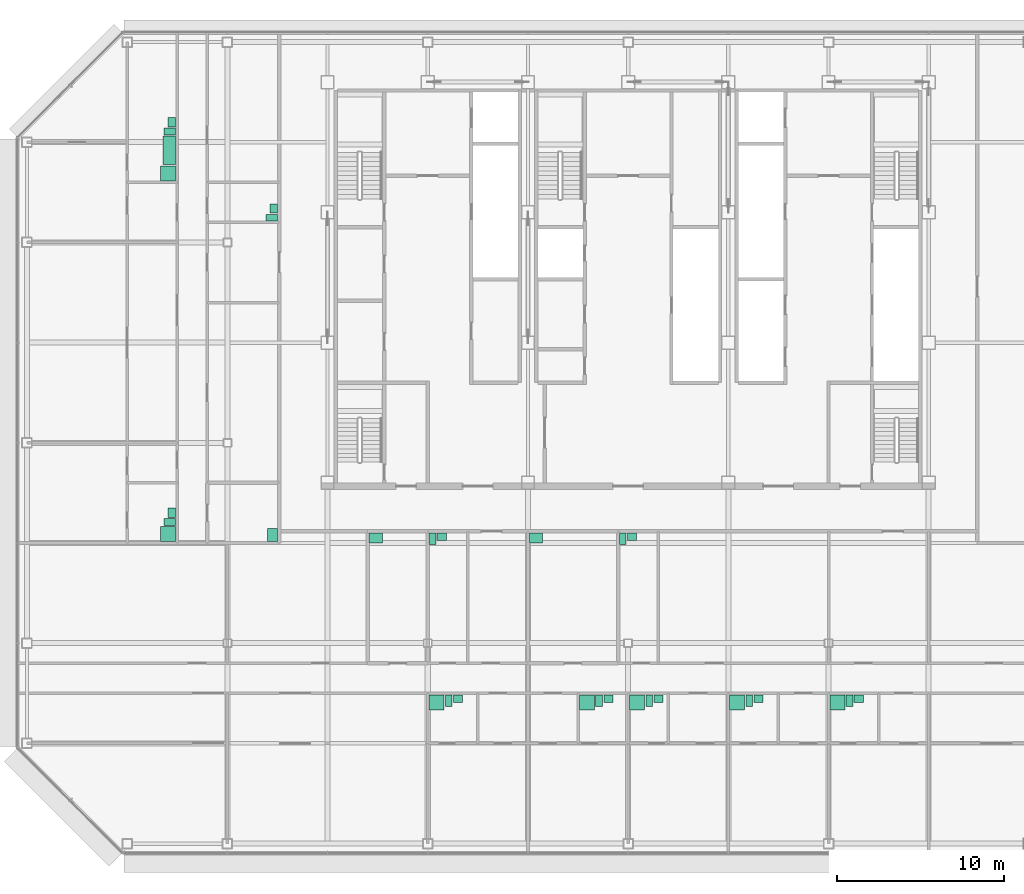
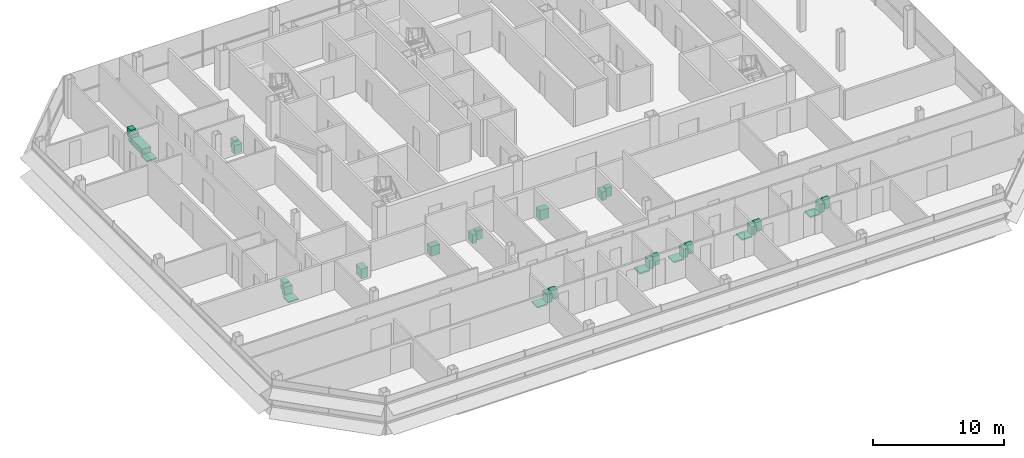
# One storey, part 28 of 28: 31 sanitary terminals.
"""IFC4 building model written with IfcOpenShell, lengths in metres."""

from ifc_helpers import new_model, si_unit, direction, frame, origin, origin_2d, place, context, subcontext, project, spatial, rectangle, extrude, element, save


model = new_model("IFC4")

# Units and contexts
model_context = context("Model", 3, precision=1e-05, world=origin(), true_north=direction((0.0, 1.0)))
body_context = subcontext(model_context, "Body", "Model", "MODEL_VIEW")
ifc_project = project(units=[si_unit("LENGTHUNIT", "METRE"), si_unit("AREAUNIT", "SQUARE_METRE"), si_unit("VOLUMEUNIT", "CUBIC_METRE"), si_unit("PLANEANGLEUNIT", "RADIAN"), si_unit("MASSUNIT", "GRAM", prefix="KILO")], contexts=[model_context])

# Site, building, storey
site_placement = place(None, origin())
site = spatial("IfcSite", under=ifc_project, at=site_placement, CompositionType="ELEMENT")
building_placement = place(site_placement, origin())
building = spatial("IfcBuilding", under=site, at=building_placement, Name="Sorahane Residences", CompositionType="ELEMENT")
storey_placement = place(building_placement, frame((0.0, 0.0, 250.39990234375)))
storey = spatial("IfcBuildingStorey", under=building, at=storey_placement, Name="L59", CompositionType="ELEMENT", Elevation=250.39990234375)

# Sanitary terminals
sanitary_terminal_1_placement = place(storey_placement, frame((12.530029296875, 8.449951171875, 0.0), z_axis=(0.0, 0.0, 1.0), x_axis=(1.0, 0.0, 0.0)))
element("IfcSanitaryTerminal", 1, at=sanitary_terminal_1_placement, inside=storey, Name="Shower tray En-suite bathroom 59A", PredefinedType="SHOWER", context=body_context, shape_type="SweptSolid", body=[
    extrude(rectangle(XDim=0.89990234375, YDim=0.89990234375, at=origin_2d()), origin(), (0.0, 0.0, 1.0), 0.1201171875),
])
sanitary_terminal_2_placement = place(storey_placement, frame((13.260009765625, 8.550048828125, 0.0), z_axis=(0.0, 0.0, 1.0), x_axis=(1.0, 0.0, 0.0)))
element("IfcSanitaryTerminal", 2, at=sanitary_terminal_2_placement, inside=storey, Name="WC pan En-suite bathroom 59A", PredefinedType="TOILETPAN", context=body_context, shape_type="SweptSolid", body=[
    extrude(rectangle(XDim=0.39990234375, YDim=0.699951171875, at=origin_2d()), origin(), (0.0, 0.0, 1.0), 0.800048828125),
])
sanitary_terminal_3_placement = place(storey_placement, frame((13.81494140625, 8.675048828125, 0.0), z_axis=(0.0, 0.0, 1.0), x_axis=(1.0, 0.0, 0.0)))
element("IfcSanitaryTerminal", 3, at=sanitary_terminal_3_placement, inside=storey, Name="Wash basin En-suite bathroom 59A", PredefinedType="WASHHANDBASIN", context=body_context, shape_type="SweptSolid", body=[
    extrude(rectangle(XDim=0.550048828125, YDim=0.449951171875, at=origin_2d()), origin(), (0.0, 0.0, 1.0), 0.85009765625),
])
sanitary_terminal_4_placement = place(storey_placement, frame((8.8798828125, 18.300048828125, 0.000244140625), z_axis=(0.0, 0.0, 1.0), x_axis=(1.0, 0.0, 0.0)))
element("IfcSanitaryTerminal", 4, at=sanitary_terminal_4_placement, inside=storey, Name="Kitchen sink Kitchen 59A", PredefinedType="SINK", context=body_context, shape_type="SweptSolid", body=[
    extrude(rectangle(XDim=0.800048828125, YDim=0.60009765625, at=origin_2d()), origin(), (0.0, 0.0, 1.0), 0.89990234375),
])
sanitary_terminal_5_placement = place(storey_placement, frame((12.280029296875, 18.25, 0.0), z_axis=(0.0, 0.0, 1.0), x_axis=(1.0, 0.0, 0.0)))
element("IfcSanitaryTerminal", 5, at=sanitary_terminal_5_placement, inside=storey, Name="WC pan Powder room 59A", PredefinedType="TOILETPAN", context=body_context, shape_type="SweptSolid", body=[
    extrude(rectangle(XDim=0.39990234375, YDim=0.699951171875, at=origin_2d()), origin(), (0.0, 0.0, 1.0), 0.800048828125),
])
sanitary_terminal_6_placement = place(storey_placement, frame((12.8349609375, 18.375, 0.0), z_axis=(0.0, 0.0, 1.0), x_axis=(1.0, 0.0, 0.0)))
element("IfcSanitaryTerminal", 6, at=sanitary_terminal_6_placement, inside=storey, Name="Wash basin Powder room 59A", PredefinedType="WASHHANDBASIN", context=body_context, shape_type="SweptSolid", body=[
    extrude(rectangle(XDim=0.550048828125, YDim=0.449951171875, at=origin_2d()), origin(), (0.0, 0.0, 1.0), 0.85009765625),
])
sanitary_terminal_7_placement = place(storey_placement, frame((21.530029296875, 8.449951171875, 0.0), z_axis=(0.0, 0.0, 1.0), x_axis=(1.0, 0.0, 0.0)))
element("IfcSanitaryTerminal", 7, at=sanitary_terminal_7_placement, inside=storey, Name="Shower tray En-suite bathroom 59B", PredefinedType="SHOWER", context=body_context, shape_type="SweptSolid", body=[
    extrude(rectangle(XDim=0.89990234375, YDim=0.89990234375, at=origin_2d()), origin(), (0.0, 0.0, 1.0), 0.1201171875),
])
sanitary_terminal_8_placement = place(storey_placement, frame((22.260009765625, 8.550048828125, 0.0), z_axis=(0.0, 0.0, 1.0), x_axis=(1.0, 0.0, 0.0)))
element("IfcSanitaryTerminal", 8, at=sanitary_terminal_8_placement, inside=storey, Name="WC pan En-suite bathroom 59B", PredefinedType="TOILETPAN", context=body_context, shape_type="SweptSolid", body=[
    extrude(rectangle(XDim=0.39990234375, YDim=0.699951171875, at=origin_2d()), origin(), (0.0, 0.0, 1.0), 0.800048828125),
])
sanitary_terminal_9_placement = place(storey_placement, frame((22.81494140625, 8.675048828125, 0.0), z_axis=(0.0, 0.0, 1.0), x_axis=(1.0, 0.0, 0.0)))
element("IfcSanitaryTerminal", 9, at=sanitary_terminal_9_placement, inside=storey, Name="Wash basin En-suite bathroom 59B", PredefinedType="WASHHANDBASIN", context=body_context, shape_type="SweptSolid", body=[
    extrude(rectangle(XDim=0.550048828125, YDim=0.449951171875, at=origin_2d()), origin(), (0.0, 0.0, 1.0), 0.85009765625),
])
sanitary_terminal_10_placement = place(storey_placement, frame((24.530029296875, 8.449951171875, 0.0), z_axis=(0.0, 0.0, 1.0), x_axis=(1.0, 0.0, 0.0)))
element("IfcSanitaryTerminal", 10, at=sanitary_terminal_10_placement, inside=storey, Name="Shower tray En-suite bathroom 59B-2", PredefinedType="SHOWER", context=body_context, shape_type="SweptSolid", body=[
    extrude(rectangle(XDim=0.89990234375, YDim=0.89990234375, at=origin_2d()), origin(), (0.0, 0.0, 1.0), 0.1201171875),
])
sanitary_terminal_11_placement = place(storey_placement, frame((25.260009765625, 8.550048828125, 0.0), z_axis=(0.0, 0.0, 1.0), x_axis=(1.0, 0.0, 0.0)))
element("IfcSanitaryTerminal", 11, at=sanitary_terminal_11_placement, inside=storey, Name="WC pan En-suite bathroom 59B-2", PredefinedType="TOILETPAN", context=body_context, shape_type="SweptSolid", body=[
    extrude(rectangle(XDim=0.39990234375, YDim=0.699951171875, at=origin_2d()), origin(), (0.0, 0.0, 1.0), 0.800048828125),
])
sanitary_terminal_12_placement = place(storey_placement, frame((25.81494140625, 8.675048828125, 0.0), z_axis=(0.0, 0.0, 1.0), x_axis=(1.0, 0.0, 0.0)))
element("IfcSanitaryTerminal", 12, at=sanitary_terminal_12_placement, inside=storey, Name="Wash basin En-suite bathroom 59B-2", PredefinedType="WASHHANDBASIN", context=body_context, shape_type="SweptSolid", body=[
    extrude(rectangle(XDim=0.550048828125, YDim=0.449951171875, at=origin_2d()), origin(), (0.0, 0.0, 1.0), 0.85009765625),
])
sanitary_terminal_13_placement = place(storey_placement, frame((30.530029296875, 8.449951171875, 0.0), z_axis=(0.0, 0.0, 1.0), x_axis=(1.0, 0.0, 0.0)))
element("IfcSanitaryTerminal", 13, at=sanitary_terminal_13_placement, inside=storey, Name="Shower tray En-suite bathroom 59B-3", PredefinedType="SHOWER", context=body_context, shape_type="SweptSolid", body=[
    extrude(rectangle(XDim=0.89990234375, YDim=0.89990234375, at=origin_2d()), origin(), (0.0, 0.0, 1.0), 0.1201171875),
])
sanitary_terminal_14_placement = place(storey_placement, frame((31.260009765625, 8.550048828125, 0.0), z_axis=(0.0, 0.0, 1.0), x_axis=(1.0, 0.0, 0.0)))
element("IfcSanitaryTerminal", 14, at=sanitary_terminal_14_placement, inside=storey, Name="WC pan En-suite bathroom 59B-3", PredefinedType="TOILETPAN", context=body_context, shape_type="SweptSolid", body=[
    extrude(rectangle(XDim=0.39990234375, YDim=0.699951171875, at=origin_2d()), origin(), (0.0, 0.0, 1.0), 0.800048828125),
])
sanitary_terminal_15_placement = place(storey_placement, frame((31.81494140625, 8.675048828125, 0.0), z_axis=(0.0, 0.0, 1.0), x_axis=(1.0, 0.0, 0.0)))
element("IfcSanitaryTerminal", 15, at=sanitary_terminal_15_placement, inside=storey, Name="Wash basin En-suite bathroom 59B-3", PredefinedType="WASHHANDBASIN", context=body_context, shape_type="SweptSolid", body=[
    extrude(rectangle(XDim=0.550048828125, YDim=0.449951171875, at=origin_2d()), origin(), (0.0, 0.0, 1.0), 0.85009765625),
])
sanitary_terminal_16_placement = place(storey_placement, frame((36.530029296875, 8.449951171875, 0.0), z_axis=(0.0, 0.0, 1.0), x_axis=(1.0, 0.0, 0.0)))
element("IfcSanitaryTerminal", 16, at=sanitary_terminal_16_placement, inside=storey, Name="Shower tray En-suite bathroom 59B-4", PredefinedType="SHOWER", context=body_context, shape_type="SweptSolid", body=[
    extrude(rectangle(XDim=0.89990234375, YDim=0.89990234375, at=origin_2d()), origin(), (0.0, 0.0, 1.0), 0.1201171875),
])
sanitary_terminal_17_placement = place(storey_placement, frame((37.260009765625, 8.550048828125, 0.0), z_axis=(0.0, 0.0, 1.0), x_axis=(1.0, 0.0, 0.0)))
element("IfcSanitaryTerminal", 17, at=sanitary_terminal_17_placement, inside=storey, Name="WC pan En-suite bathroom 59B-4", PredefinedType="TOILETPAN", context=body_context, shape_type="SweptSolid", body=[
    extrude(rectangle(XDim=0.39990234375, YDim=0.699951171875, at=origin_2d()), origin(), (0.0, 0.0, 1.0), 0.800048828125),
])
sanitary_terminal_18_placement = place(storey_placement, frame((37.81494140625, 8.675048828125, 0.0), z_axis=(0.0, 0.0, 1.0), x_axis=(1.0, 0.0, 0.0)))
element("IfcSanitaryTerminal", 18, at=sanitary_terminal_18_placement, inside=storey, Name="Wash basin En-suite bathroom 59B-4", PredefinedType="WASHHANDBASIN", context=body_context, shape_type="SweptSolid", body=[
    extrude(rectangle(XDim=0.550048828125, YDim=0.449951171875, at=origin_2d()), origin(), (0.0, 0.0, 1.0), 0.85009765625),
])
sanitary_terminal_19_placement = place(storey_placement, frame((18.47998046875, 18.300048828125, 0.000244140625), z_axis=(0.0, 0.0, 1.0), x_axis=(1.0, 0.0, 0.0)))
element("IfcSanitaryTerminal", 19, at=sanitary_terminal_19_placement, inside=storey, Name="Kitchen sink Kitchen 59B", PredefinedType="SINK", context=body_context, shape_type="SweptSolid", body=[
    extrude(rectangle(XDim=0.800048828125, YDim=0.60009765625, at=origin_2d()), origin(), (0.0, 0.0, 1.0), 0.89990234375),
])
sanitary_terminal_20_placement = place(storey_placement, frame((23.679931640625, 18.25, 0.0), z_axis=(0.0, 0.0, 1.0), x_axis=(1.0, 0.0, 0.0)))
element("IfcSanitaryTerminal", 20, at=sanitary_terminal_20_placement, inside=storey, Name="WC pan Powder room 59B", PredefinedType="TOILETPAN", context=body_context, shape_type="SweptSolid", body=[
    extrude(rectangle(XDim=0.39990234375, YDim=0.699951171875, at=origin_2d()), origin(), (0.0, 0.0, 1.0), 0.800048828125),
])
sanitary_terminal_21_placement = place(storey_placement, frame((24.235107421875, 18.375, 0.0), z_axis=(0.0, 0.0, 1.0), x_axis=(1.0, 0.0, 0.0)))
element("IfcSanitaryTerminal", 21, at=sanitary_terminal_21_placement, inside=storey, Name="Wash basin Powder room 59B", PredefinedType="WASHHANDBASIN", context=body_context, shape_type="SweptSolid", body=[
    extrude(rectangle(XDim=0.550048828125, YDim=0.449951171875, at=origin_2d()), origin(), (0.0, 0.0, 1.0), 0.85009765625),
])
sanitary_terminal_22_placement = place(storey_placement, frame((-3.550048828125, 18.530029296875, 0.0), z_axis=(0.0, 0.0, 1.0), x_axis=(0.0, -1.0, 0.0)))
element("IfcSanitaryTerminal", 22, at=sanitary_terminal_22_placement, inside=storey, Name="Shower tray En-suite bathroom 59C", PredefinedType="SHOWER", context=body_context, shape_type="SweptSolid", body=[
    extrude(rectangle(XDim=0.89990234375, YDim=0.89990234375, at=origin_2d()), origin(), (0.0, 0.0, 1.0), 0.1201171875),
])
sanitary_terminal_23_placement = place(storey_placement, frame((-3.449951171875, 19.260009765625, 0.0), z_axis=(0.0, 0.0, 1.0), x_axis=(0.0, -1.0, 0.0)))
element("IfcSanitaryTerminal", 23, at=sanitary_terminal_23_placement, inside=storey, Name="WC pan En-suite bathroom 59C", PredefinedType="TOILETPAN", context=body_context, shape_type="SweptSolid", body=[
    extrude(rectangle(XDim=0.39990234375, YDim=0.699951171875, at=origin_2d()), origin(), (0.0, 0.0, 1.0), 0.800048828125),
])
sanitary_terminal_24_placement = place(storey_placement, frame((-3.324951171875, 19.81494140625, 0.0), z_axis=(0.0, 0.0, 1.0), x_axis=(0.0, -1.0, 0.0)))
element("IfcSanitaryTerminal", 24, at=sanitary_terminal_24_placement, inside=storey, Name="Wash basin En-suite bathroom 59C", PredefinedType="WASHHANDBASIN", context=body_context, shape_type="SweptSolid", body=[
    extrude(rectangle(XDim=0.550048828125, YDim=0.449951171875, at=origin_2d()), origin(), (0.0, 0.0, 1.0), 0.85009765625),
])
sanitary_terminal_25_placement = place(storey_placement, frame((-3.550048828125, 40.1298828125, 0.0), z_axis=(0.0, 0.0, 1.0), x_axis=(0.0, -1.0, 0.0)))
element("IfcSanitaryTerminal", 25, at=sanitary_terminal_25_placement, inside=storey, Name="Shower tray En-suite bathroom 59C-2", PredefinedType="SHOWER", context=body_context, shape_type="SweptSolid", body=[
    extrude(rectangle(XDim=0.89990234375, YDim=0.89990234375, at=origin_2d()), origin(), (0.0, 0.0, 1.0), 0.1201171875),
])
sanitary_terminal_26_placement = place(storey_placement, frame((-3.47509765625, 41.510009765625, 0.0), z_axis=(0.0, 0.0, 1.0), x_axis=(0.0, -1.0, 0.0)))
element("IfcSanitaryTerminal", 26, at=sanitary_terminal_26_placement, inside=storey, Name="Bath En-suite bathroom 59C-2", PredefinedType="BATH", context=body_context, shape_type="SweptSolid", body=[
    extrude(rectangle(XDim=1.699951171875, YDim=0.75, at=origin_2d()), origin(), (0.0, 0.0, 1.0), 0.56005859375),
])
sanitary_terminal_27_placement = place(storey_placement, frame((-3.449951171875, 42.639892578125, 0.0), z_axis=(0.0, 0.0, 1.0), x_axis=(0.0, -1.0, 0.0)))
element("IfcSanitaryTerminal", 27, at=sanitary_terminal_27_placement, inside=storey, Name="WC pan En-suite bathroom 59C-2", PredefinedType="TOILETPAN", context=body_context, shape_type="SweptSolid", body=[
    extrude(rectangle(XDim=0.39990234375, YDim=0.699951171875, at=origin_2d()), origin(), (0.0, 0.0, 1.0), 0.800048828125),
])
sanitary_terminal_28_placement = place(storey_placement, frame((-3.324951171875, 43.195068359375, 0.0), z_axis=(0.0, 0.0, 1.0), x_axis=(0.0, -1.0, 0.0)))
element("IfcSanitaryTerminal", 28, at=sanitary_terminal_28_placement, inside=storey, Name="Wash basin En-suite bathroom 59C-2", PredefinedType="WASHHANDBASIN", context=body_context, shape_type="SweptSolid", body=[
    extrude(rectangle(XDim=0.550048828125, YDim=0.449951171875, at=origin_2d()), origin(), (0.0, 0.0, 1.0), 0.85009765625),
])
sanitary_terminal_29_placement = place(storey_placement, frame((2.699951171875, 18.47998046875, 0.000244140625), z_axis=(0.0, 0.0, 1.0), x_axis=(0.0, -1.0, 0.0)))
element("IfcSanitaryTerminal", 29, at=sanitary_terminal_29_placement, inside=storey, Name="Kitchen sink Kitchen 59C", PredefinedType="SINK", context=body_context, shape_type="SweptSolid", body=[
    extrude(rectangle(XDim=0.800048828125, YDim=0.60009765625, at=origin_2d()), origin(), (0.0, 0.0, 1.0), 0.89990234375),
])
sanitary_terminal_30_placement = place(storey_placement, frame((2.64990234375, 37.47998046875, 0.0), z_axis=(0.0, 0.0, 1.0), x_axis=(0.0, -1.0, 0.0)))
element("IfcSanitaryTerminal", 30, at=sanitary_terminal_30_placement, inside=storey, Name="WC pan Powder room 59C", PredefinedType="TOILETPAN", context=body_context, shape_type="SweptSolid", body=[
    extrude(rectangle(XDim=0.39990234375, YDim=0.699951171875, at=origin_2d()), origin(), (0.0, 0.0, 1.0), 0.800048828125),
])
sanitary_terminal_31_placement = place(storey_placement, frame((2.77490234375, 38.034912109375, 0.0), z_axis=(0.0, 0.0, 1.0), x_axis=(0.0, -1.0, 0.0)))
element("IfcSanitaryTerminal", 31, at=sanitary_terminal_31_placement, inside=storey, Name="Wash basin Powder room 59C", PredefinedType="WASHHANDBASIN", context=body_context, shape_type="SweptSolid", body=[
    extrude(rectangle(XDim=0.550048828125, YDim=0.449951171875, at=origin_2d()), origin(), (0.0, 0.0, 1.0), 0.85009765625),
])

save(model, "model.ifc")
